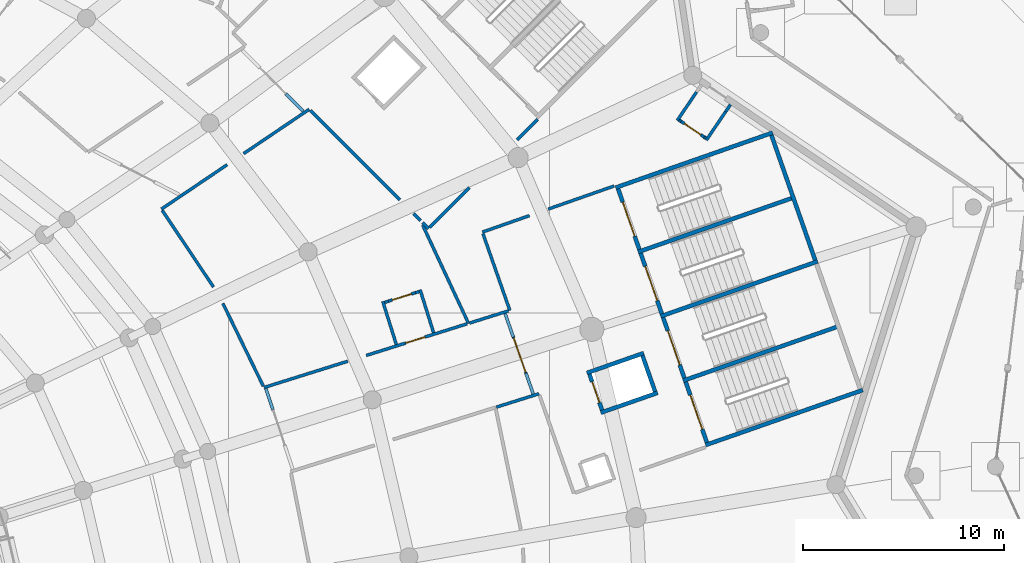
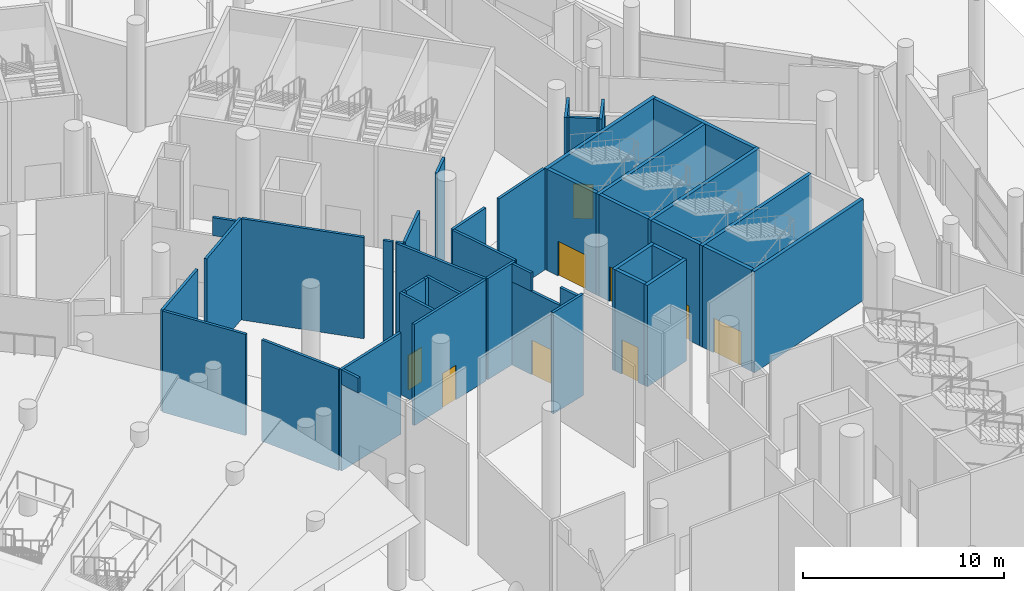
# One storey, part 148 of 255: 47 walls, 9 doors, 9 openings.
"""IFC4 building model written with IfcOpenShell, lengths in metres."""

from ifc_helpers import new_model, si_unit, direction, frame, frame_2d, origin, place, context, subcontext, project, spatial, rectangle, extrude, material, layer, layer_set, type_object, element, fill, save


model = new_model("IFC4")

# Units and contexts
model_context = context("Model", 3, precision=1e-05, world=origin(), true_north=direction((0.0, 1.0)))
body_context = subcontext(model_context, "Body", "Model", "MODEL_VIEW")
ifc_project = project(units=[si_unit("LENGTHUNIT", "METRE"), si_unit("AREAUNIT", "SQUARE_METRE"), si_unit("VOLUMEUNIT", "CUBIC_METRE"), si_unit("PLANEANGLEUNIT", "RADIAN"), si_unit("MASSUNIT", "GRAM", prefix="KILO")], contexts=[model_context])

# Site, building, storey
site_placement = place(None, origin())
site = spatial("IfcSite", under=ifc_project, at=site_placement, CompositionType="ELEMENT")
building_placement = place(site_placement, origin())
building = spatial("IfcBuilding", under=site, at=building_placement, Name="Meseta Stadium", CompositionType="ELEMENT")
storey_placement = place(building_placement, origin())
storey = spatial("IfcBuildingStorey", under=building, at=storey_placement, Name="L00", CompositionType="ELEMENT", Elevation=0.0)

# Walls
ifc_material_1 = material(Name="Concrete C40/50", Category="concrete")
ifc_layer_1 = layer(ifc_material_1, 0.199951171875)
ifc_layer_set_1 = layer_set([ifc_layer_1], Name="Core divider wall 200")
wall_type_1 = type_object("IfcWallType", Name="Core divider wall 200", PredefinedType="SHEAR", material=ifc_layer_set_1)
for number, where, z_axis, x_axis, name in (
    (1, (94.505859375, 63.370849609375, 0.0), (0.0, 0.0, 1.0), (-0.943878073457, -0.330294084791, 0.0), "Core 06 L00 stair A divider wall"),
    (2, (92.260009765625, 69.789306640625, 0.0), (0.0, 0.0, 1.0), (-0.943878073457, -0.330294084791, 0.0), "Core 06 L00 stair B divider wall"),
):
    element("IfcWall", number, at=place(storey_placement, frame(where, z_axis=z_axis, x_axis=x_axis)), inside=storey, type_object=wall_type_1, Name=name, PredefinedType="SHEAR", context=body_context, shape_type="SweptSolid", body=[
        extrude(rectangle(XDim=8.300048828125, YDim=0.199951171875, at=frame_2d((4.14990234375, 0.0))), origin(), (0.0, 0.0, 1.0), 6.14990234375),
    ])
ifc_material_2 = material(Name="Concrete C40/50", Category="concrete")
ifc_layer_2 = layer(ifc_material_2, 0.199951171875)
ifc_layer_set_2 = layer_set([ifc_layer_2], Name="Core shaft wall 200")
wall_type_2 = type_object("IfcWallType", Name="Core shaft wall 200", PredefinedType="SHEAR", material=ifc_layer_set_2)
for number, where, z_axis, x_axis, name in (
    (3, (95.62890625, 60.16162109375, 0.0), (0.0, 0.0, 1.0), (-0.943887243331, -0.330267878966, 0.0), "Core 06 L00 stair wall A-side"),
    (4, (93.3828125, 66.580078125, 0.0), (0.0, 0.0, 1.0), (-0.943878073457, -0.330294084791, 0.0), "Core 06 L00 stair wall shared"),
    (5, (91.136962890625, 72.998291015625, 0.0), (0.0, 0.0, 1.0), (-0.943887243331, -0.330267878966, 0.0), "Core 06 L00 stair wall B-side"),
):
    element("IfcWall", number, at=place(storey_placement, frame(where, z_axis=z_axis, x_axis=x_axis)), inside=storey, type_object=wall_type_2, Name=name, PredefinedType="SHEAR", context=body_context, shape_type="SweptSolid", body=[
        extrude(rectangle(XDim=8.300048828125, YDim=0.199951171875, at=frame_2d((4.14990234375, 0.0))), origin(), (0.0, 0.0, 1.0), 6.14990234375),
    ])
wall_1_placement = place(storey_placement, frame((93.255615234375, 66.641357421875, 0.0), z_axis=(0.0, 0.0, 1.0), x_axis=(-0.330286164688, 0.943880844925, 0.0)))
element("IfcWall", 6, at=wall_1_placement, inside=storey, type_object=wall_type_2, Name="Core 06 L00 stair B outer end wall", PredefinedType="SHEAR", context=body_context, shape_type="SweptSolid", body=[
    extrude(rectangle(XDim=6.60009765625, YDim=0.199951171875, at=frame_2d((3.300048828125, 0.0))), origin(), (0.0, 0.0, 1.0), 6.14990234375),
])

# Wall, opening, door
wall_2_placement = place(storey_placement, frame((87.85595703125, 57.547607421875, 0.0), z_axis=(0.0, 0.0, 1.0), x_axis=(-0.330268863922, 0.943886898693, 0.0)))
wall_2 = element("IfcWall", 7, at=wall_2_placement, inside=storey, type_object=wall_type_2, Name="Core 06 L00 stair A1 inner end wall", PredefinedType="SHEAR", context=body_context, shape_type="SweptSolid", body=[
    extrude(rectangle(XDim=3.2001953125, YDim=0.199951171875, at=frame_2d((1.60009765625, 0.0))), origin(), (0.0, 0.0, 1.0), 6.14990234375),
])
opening_1_placement = place(wall_2_placement, frame((0.699951171875, 0.0, 0.0)))
opening_1 = element("IfcOpeningElement", 8, at=opening_1_placement, cuts=wall_2, Name="Opening D095", PredefinedType="OPENING", context=body_context, shape_type="SweptSolid", body=[
    extrude(rectangle(XDim=1.800048828125, YDim=2.10009765625, at=frame_2d((0.89990234375, 1.050048828125))), frame((0.0, 0.10986328125, 0.0), z_axis=(0.0, -1.0, 0.0), x_axis=(1.0, 0.0, 0.0)), (0.0, 0.0, 1.0), 0.219970703125),
])
ifc_material_3 = material(Name="Steel", Category="steel")
door_type_1 = type_object("IfcDoorType", Name="Stair door 1800x2100", OperationType="DOUBLE_DOOR_SINGLE_SWING", PredefinedType="DOOR", material=ifc_material_3)
door_1_placement = place(opening_1_placement, origin())
door_1 = element("IfcDoor", 9, at=door_1_placement, inside=storey, type_object=door_type_1, Name="Stair A1 door 06 L00", OperationType="DOUBLE_DOOR_SINGLE_SWING", OverallHeight=2.10009765625, OverallWidth=1.800048828125, PredefinedType="DOOR", context=body_context, shape_type="SweptSolid", body=[
    extrude(rectangle(XDim=1.800048828125, YDim=2.10009765625, at=frame_2d((0.89990234375, 1.050048828125))), frame((0.0, 0.02490234375, 0.0), z_axis=(0.0, -1.0, 0.0), x_axis=(1.0, 0.0, 0.0)), (0.0, 0.0, 1.0), 0.050048828125),
])
fill(opening_1, door_1)

wall_3_placement = place(storey_placement, frame((86.73291015625, 60.7568359375, 0.0), z_axis=(0.0, 0.0, 1.0), x_axis=(-0.330268863922, 0.943886898693, 0.0)))
wall_3 = element("IfcWall", 10, at=wall_3_placement, inside=storey, type_object=wall_type_2, Name="Core 06 L00 stair A2 inner end wall", PredefinedType="SHEAR", context=body_context, shape_type="SweptSolid", body=[
    extrude(rectangle(XDim=3.2001953125, YDim=0.199951171875, at=frame_2d((1.60009765625, 0.0))), origin(), (0.0, 0.0, 1.0), 6.14990234375),
])
opening_2_placement = place(wall_3_placement, frame((0.699951171875, 0.0, 0.0)))
opening_2 = element("IfcOpeningElement", 11, at=opening_2_placement, cuts=wall_3, Name="Opening D096", PredefinedType="OPENING", context=body_context, shape_type="SweptSolid", body=[
    extrude(rectangle(XDim=1.800048828125, YDim=2.10009765625, at=frame_2d((0.89990234375, 1.050048828125))), frame((0.0, 0.10986328125, 0.0), z_axis=(0.0, -1.0, 0.0), x_axis=(1.0, 0.0, 0.0)), (0.0, 0.0, 1.0), 0.219970703125),
])
door_2_placement = place(opening_2_placement, origin())
door_2 = element("IfcDoor", 12, at=door_2_placement, inside=storey, type_object=door_type_1, Name="Stair A2 door 06 L00", OperationType="DOUBLE_DOOR_SINGLE_SWING", OverallHeight=2.10009765625, OverallWidth=1.800048828125, PredefinedType="DOOR", context=body_context, shape_type="SweptSolid", body=[
    extrude(rectangle(XDim=1.800048828125, YDim=2.10009765625, at=frame_2d((0.89990234375, 1.050048828125))), frame((0.0, 0.02490234375, 0.0), z_axis=(0.0, -1.0, 0.0), x_axis=(1.0, 0.0, 0.0)), (0.0, 0.0, 1.0), 0.050048828125),
])
fill(opening_2, door_2)

wall_4_placement = place(storey_placement, frame((85.610107421875, 63.966064453125, 0.0), z_axis=(0.0, 0.0, 1.0), x_axis=(-0.330268863922, 0.943886898693, 0.0)))
wall_4 = element("IfcWall", 13, at=wall_4_placement, inside=storey, type_object=wall_type_2, Name="Core 06 L00 stair B1 inner end wall", PredefinedType="SHEAR", context=body_context, shape_type="SweptSolid", body=[
    extrude(rectangle(XDim=3.2001953125, YDim=0.199951171875, at=frame_2d((1.60009765625, 0.0))), origin(), (0.0, 0.0, 1.0), 6.14990234375),
])
opening_3_placement = place(wall_4_placement, frame((0.699951171875, 0.0, 0.0)))
opening_3 = element("IfcOpeningElement", 14, at=opening_3_placement, cuts=wall_4, Name="Opening D097", PredefinedType="OPENING", context=body_context, shape_type="SweptSolid", body=[
    extrude(rectangle(XDim=1.800048828125, YDim=2.10009765625, at=frame_2d((0.89990234375, 1.050048828125))), frame((0.0, 0.10986328125, 0.0), z_axis=(0.0, -1.0, 0.0), x_axis=(1.0, 0.0, 0.0)), (0.0, 0.0, 1.0), 0.219970703125),
])
door_3_placement = place(opening_3_placement, origin())
door_3 = element("IfcDoor", 15, at=door_3_placement, inside=storey, type_object=door_type_1, Name="Stair B1 door 06 L00", OperationType="DOUBLE_DOOR_SINGLE_SWING", OverallHeight=2.10009765625, OverallWidth=1.800048828125, PredefinedType="DOOR", context=body_context, shape_type="SweptSolid", body=[
    extrude(rectangle(XDim=1.800048828125, YDim=2.10009765625, at=frame_2d((0.89990234375, 1.050048828125))), frame((0.0, 0.02490234375, 0.0), z_axis=(0.0, -1.0, 0.0), x_axis=(1.0, 0.0, 0.0)), (0.0, 0.0, 1.0), 0.050048828125),
])
fill(opening_3, door_3)

wall_5_placement = place(storey_placement, frame((84.487060546875, 67.17529296875, 0.0), z_axis=(0.0, 0.0, 1.0), x_axis=(-0.330268863922, 0.943886898693, 0.0)))
wall_5 = element("IfcWall", 16, at=wall_5_placement, inside=storey, type_object=wall_type_2, Name="Core 06 L00 stair B2 inner end wall", PredefinedType="SHEAR", context=body_context, shape_type="SweptSolid", body=[
    extrude(rectangle(XDim=3.2001953125, YDim=0.199951171875, at=frame_2d((1.60009765625, 0.0))), origin(), (0.0, 0.0, 1.0), 6.14990234375),
])
opening_4_placement = place(wall_5_placement, frame((0.699951171875, 0.0, 0.0)))
opening_4 = element("IfcOpeningElement", 17, at=opening_4_placement, cuts=wall_5, Name="Opening D098", PredefinedType="OPENING", context=body_context, shape_type="SweptSolid", body=[
    extrude(rectangle(XDim=1.800048828125, YDim=2.10009765625, at=frame_2d((0.89990234375, 1.050048828125))), frame((0.0, 0.10986328125, 0.0), z_axis=(0.0, -1.0, 0.0), x_axis=(1.0, 0.0, 0.0)), (0.0, 0.0, 1.0), 0.219970703125),
])
door_4_placement = place(opening_4_placement, origin())
door_4 = element("IfcDoor", 18, at=door_4_placement, inside=storey, type_object=door_type_1, Name="Stair B2 door 06 L00", OperationType="DOUBLE_DOOR_SINGLE_SWING", OverallHeight=2.10009765625, OverallWidth=1.800048828125, PredefinedType="DOOR", context=body_context, shape_type="SweptSolid", body=[
    extrude(rectangle(XDim=1.800048828125, YDim=2.10009765625, at=frame_2d((0.89990234375, 1.050048828125))), frame((0.0, 0.02490234375, 0.0), z_axis=(0.0, -1.0, 0.0), x_axis=(1.0, 0.0, 0.0)), (0.0, 0.0, 1.0), 0.050048828125),
])
fill(opening_4, door_4)

# Walls
wall_6_placement = place(storey_placement, frame((85.39990234375, 60.025390625, 0.0), z_axis=(0.0, 0.0, 1.0), x_axis=(-0.943900215722, -0.330230802259, 0.0)))
element("IfcWall", 19, at=wall_6_placement, inside=storey, type_object=wall_type_2, Name="Core 06 L00 lift shaft wall left", PredefinedType="SHEAR", context=body_context, shape_type="SweptSolid", body=[
    extrude(rectangle(XDim=3.0, YDim=0.199951171875, at=frame_2d((1.5, 0.0))), origin(), (0.0, 0.0, 1.0), 6.14990234375),
])
wall_7_placement = place(storey_placement, frame((84.706298828125, 62.0078125, 0.0), z_axis=(0.0, 0.0, 1.0), x_axis=(-0.943874847782, -0.330303302625, 0.0)))
element("IfcWall", 20, at=wall_7_placement, inside=storey, type_object=wall_type_2, Name="Core 06 L00 lift shaft wall right", PredefinedType="SHEAR", context=body_context, shape_type="SweptSolid", body=[
    extrude(rectangle(XDim=3.000244140625, YDim=0.199951171875, at=frame_2d((1.5, 0.0))), origin(), (0.0, 0.0, 1.0), 6.14990234375),
])
wall_8_placement = place(storey_placement, frame((85.272216796875, 60.0869140625, 0.0), z_axis=(0.0, 0.0, 1.0), x_axis=(-0.330224505327, 0.943902418729, 0.0)))
element("IfcWall", 21, at=wall_8_placement, inside=storey, type_object=wall_type_2, Name="Core 06 L00 lift shaft back wall", PredefinedType="SHEAR", context=body_context, shape_type="SweptSolid", body=[
    extrude(rectangle(XDim=1.900146484375, YDim=0.199951171875, at=frame_2d((0.9501953125, 0.0))), origin(), (0.0, 0.0, 1.0), 6.14990234375),
])

# Wall, opening, door
wall_9_placement = place(storey_placement, frame((82.62939453125, 59.162109375, 0.0), z_axis=(0.0, 0.0, 1.0), x_axis=(-0.330224505327, 0.943902418729, 0.0)))
wall_9 = element("IfcWall", 22, at=wall_9_placement, inside=storey, type_object=wall_type_2, Name="Core 06 L00 lift shaft front wall", PredefinedType="SHEAR", context=body_context, shape_type="SweptSolid", body=[
    extrude(rectangle(XDim=1.900146484375, YDim=0.199951171875, at=frame_2d((0.9501953125, 0.0))), origin(), (0.0, 0.0, 1.0), 6.14990234375),
])
opening_5_placement = place(wall_9_placement, frame((0.39990234375, 0.0, 0.0)))
opening_5 = element("IfcOpeningElement", 23, at=opening_5_placement, cuts=wall_9, Name="Opening LD32", PredefinedType="OPENING", context=body_context, shape_type="SweptSolid", body=[
    extrude(rectangle(XDim=1.10009765625, YDim=2.10009765625, at=frame_2d((0.550048828125, 1.050048828125))), frame((0.0, 0.10986328125, 0.0), z_axis=(0.0, -1.0, 0.0), x_axis=(1.0, 0.0, 0.0)), (0.0, 0.0, 1.0), 0.219970703125),
])
ifc_material_4 = material(Name="Steel", Category="steel")
door_type_2 = type_object("IfcDoorType", Name="Lift landing door 1100x2100", OperationType="SLIDING_TO_LEFT", PredefinedType="DOOR", material=ifc_material_4)
door_5_placement = place(opening_5_placement, origin())
door_5 = element("IfcDoor", 24, at=door_5_placement, inside=storey, type_object=door_type_2, Name="Lift landing door LD32", OperationType="SLIDING_TO_RIGHT", OverallHeight=2.10009765625, OverallWidth=1.10009765625, PredefinedType="DOOR", context=body_context, shape_type="SweptSolid", body=[
    extrude(rectangle(XDim=1.10009765625, YDim=2.10009765625, at=frame_2d((0.550048828125, 1.050048828125))), frame((0.0, 0.02490234375, 0.0), z_axis=(0.0, -1.0, 0.0), x_axis=(1.0, 0.0, 0.0)), (0.0, 0.0, 1.0), 0.050048828125),
])
fill(opening_5, door_5)

# Walls
ifc_material_5 = material(Name="Masonry blockwork", Category="masonry")
ifc_layer_3 = layer(ifc_material_5, 0.14990234375)
ifc_layer_set_3 = layer_set([ifc_layer_3], Name="Partition 150")
wall_type_3 = type_object("IfcWallType", Name="Partition 150", PredefinedType="PARTITIONING", material=ifc_layer_set_3)
wall_10_placement = place(storey_placement, frame((77.3623046875, 59.313232421875, 0.0), z_axis=(0.0, 0.0, 1.0), x_axis=(0.954198139725, 0.299175383588, 0.0)))
element("IfcWall", 25, at=wall_10_placement, inside=storey, type_object=wall_type_3, Name="Partition L00 L00-cell04-2-0", PredefinedType="PARTITIONING", context=body_context, shape_type="SweptSolid", body=[
    extrude(rectangle(XDim=2.222900390625, YDim=0.14990234375, at=frame_2d((1.111328125, 0.0))), origin(), (0.0, 0.0, 1.0), 6.14990234375),
])
wall_11_placement = place(storey_placement, frame((60.65478515625, 69.186279296875, 0.0), z_axis=(0.0, 0.0, 1.0), x_axis=(0.828805713465, 0.559536495081, 0.0)))
element("IfcWall", 26, at=wall_11_placement, inside=storey, type_object=wall_type_3, Name="Partition L00 L00-cell05-1-0", PredefinedType="PARTITIONING", context=body_context, shape_type="SweptSolid", body=[
    extrude(rectangle(XDim=3.953125, YDim=0.14990234375, at=frame_2d((1.9765625, 0.0))), origin(), (0.0, 0.0, 1.0), 6.14990234375),
])
wall_12_placement = place(storey_placement, frame((64.750244140625, 71.950927734375, 0.0), z_axis=(0.0, 0.0, 1.0), x_axis=(0.828815019126, 0.559522710952, 0.0)))
element("IfcWall", 27, at=wall_12_placement, inside=storey, type_object=wall_type_3, Name="Partition L00 L00-cell05-1-0", PredefinedType="PARTITIONING", context=body_context, shape_type="SweptSolid", body=[
    extrude(rectangle(XDim=3.952880859375, YDim=0.14990234375, at=frame_2d((1.9765625, 0.0))), origin(), (0.0, 0.0, 1.0), 6.14990234375),
])
wall_13_placement = place(storey_placement, frame((68.080322265625, 74.108642578125, 0.0), z_axis=(0.0, 0.0, 1.0), x_axis=(0.70712613939, -0.707087422453, 0.0)))
element("IfcWall", 28, at=wall_13_placement, inside=storey, type_object=wall_type_3, Name="Partition L00 L00-cell05-1-0", PredefinedType="PARTITIONING", context=body_context, shape_type="SweptSolid", body=[
    extrude(rectangle(XDim=6.3056640625, YDim=0.14990234375, at=frame_2d((3.15283203125, 0.0))), origin(), (0.0, 0.0, 1.0), 6.14990234375),
])
wall_14_placement = place(storey_placement, frame((73.2333984375, 68.95556640625, 0.0), z_axis=(0.0, 0.0, 1.0), x_axis=(0.707355281174, -0.706858193837, 0.0)))
element("IfcWall", 29, at=wall_14_placement, inside=storey, type_object=wall_type_3, Name="Partition L00 L00-cell05-1-0", PredefinedType="PARTITIONING", context=body_context, shape_type="SweptSolid", body=[
    extrude(rectangle(XDim=0.4912109375, YDim=0.14990234375, at=frame_2d((0.24560546875, 0.0))), origin(), (0.0, 0.0, 1.0), 6.14990234375),
])
wall_15_placement = place(storey_placement, frame((73.683837890625, 68.386962890625, 0.0), z_axis=(0.0, 0.0, 1.0), x_axis=(0.42266047211, -0.906288102821, 0.0)))
element("IfcWall", 30, at=wall_15_placement, inside=storey, type_object=wall_type_3, Name="Partition L00 L00-cell05-1-0", PredefinedType="PARTITIONING", context=body_context, shape_type="SweptSolid", body=[
    extrude(rectangle(XDim=5.406005859375, YDim=0.14990234375, at=frame_2d((2.703125, 0.0))), origin(), (0.0, 0.0, 1.0), 6.14990234375),
])

# Wall, opening, door
wall_16_placement = place(storey_placement, frame((75.896484375, 63.46484375, 0.0), z_axis=(0.0, 0.0, 1.0), x_axis=(-0.954206671626, -0.29914817035, 0.0)))
wall_16 = element("IfcWall", 31, at=wall_16_placement, inside=storey, type_object=wall_type_3, Name="Partition L00 L00-cell05-1-0", PredefinedType="PARTITIONING", context=body_context, shape_type="SweptSolid", body=[
    extrude(rectangle(XDim=5.268798828125, YDim=0.14990234375, at=frame_2d((2.63427734375, 0.0))), origin(), (0.0, 0.0, 1.0), 6.14990234375),
])
opening_6_placement = place(wall_16_placement, frame((2.199951171875, 0.0, 0.0)))
opening_6 = element("IfcOpeningElement", 32, at=opening_6_placement, cuts=wall_16, Name="Opening D551", PredefinedType="OPENING", context=body_context, shape_type="SweptSolid", body=[
    extrude(rectangle(XDim=1.0, YDim=2.10009765625, at=frame_2d((0.5, 1.050048828125))), frame((0.0, 0.0849609375, 0.0), z_axis=(0.0, -1.0, 0.0), x_axis=(1.0, 0.0, 0.0)), (0.0, 0.0, 1.0), 0.169921875),
])
ifc_material_6 = material(Name="Steel", Category="steel")
door_type_3 = type_object("IfcDoorType", Name="Fire door 1000x2100 EI2 60", OperationType="NOTDEFINED", PredefinedType="DOOR", material=ifc_material_6)
door_6_placement = place(opening_6_placement, origin())
door_6 = element("IfcDoor", 33, at=door_6_placement, inside=storey, type_object=door_type_3, Name="Door D551", OperationType="SINGLE_SWING_RIGHT", OverallHeight=2.10009765625, OverallWidth=1.0, PredefinedType="DOOR", context=body_context, shape_type="SweptSolid", body=[
    extrude(rectangle(XDim=1.0, YDim=2.10009765625, at=frame_2d((0.5, 1.050048828125))), frame((0.0, 0.02490234375, 0.0), z_axis=(0.0, -1.0, 0.0), x_axis=(1.0, 0.0, 0.0)), (0.0, 0.0, 1.0), 0.050048828125),
])
fill(opening_6, door_6)

# Walls
wall_17_placement = place(storey_placement, frame((69.941650390625, 61.597900390625, 0.0), z_axis=(0.0, 0.0, 1.0), x_axis=(-0.954192437986, -0.299193568262, 0.0)))
element("IfcWall", 34, at=wall_17_placement, inside=storey, type_object=wall_type_3, Name="Partition L00 L00-cell05-1-0", PredefinedType="PARTITIONING", context=body_context, shape_type="SweptSolid", body=[
    extrude(rectangle(XDim=4.372802734375, YDim=0.14990234375, at=frame_2d((2.1865234375, 0.0))), origin(), (0.0, 0.0, 1.0), 6.14990234375),
])
wall_18_placement = place(storey_placement, frame((65.735595703125, 60.357666015625, 0.0), z_axis=(0.0, 0.0, 1.0), x_axis=(-0.438916996059, 0.898527612581, 0.0)))
element("IfcWall", 35, at=wall_18_placement, inside=storey, type_object=wall_type_3, Name="Partition L00 L00-cell05-1-0", PredefinedType="PARTITIONING", context=body_context, shape_type="SweptSolid", body=[
    extrude(rectangle(XDim=4.60107421875, YDim=0.14990234375, at=frame_2d((2.300537109375, 0.0))), origin(), (0.0, 0.0, 1.0), 6.14990234375),
])
wall_19_placement = place(storey_placement, frame((63.251220703125, 65.30078125, 0.0), z_axis=(0.0, 0.0, 1.0), x_axis=(-0.555582071925, 0.831461701677, 0.0)))
element("IfcWall", 36, at=wall_19_placement, inside=storey, type_object=wall_type_3, Name="Partition L00 L00-cell05-1-0", PredefinedType="PARTITIONING", context=body_context, shape_type="SweptSolid", body=[
    extrude(rectangle(XDim=4.59814453125, YDim=0.14990234375, at=frame_2d((2.299072265625, 0.0))), origin(), (0.0, 0.0, 1.0), 6.14990234375),
])
wall_20_placement = place(storey_placement, frame((73.68408203125, 68.5048828125, 0.0), z_axis=(0.0, 0.0, 1.0), x_axis=(0.707106781187, -0.707106781187, 0.0)))
element("IfcWall", 37, at=wall_20_placement, inside=storey, type_object=wall_type_3, Name="Partition L00 L00-cell05-2-0", PredefinedType="PARTITIONING", context=body_context, shape_type="SweptSolid", body=[
    extrude(rectangle(XDim=0.4091796875, YDim=0.14990234375, at=frame_2d((0.20458984375, 0.0))), origin(), (0.0, 0.0, 1.0), 6.14990234375),
])
wall_21_placement = place(storey_placement, frame((74.026611328125, 68.2685546875, 0.0), z_axis=(0.0, 0.0, 1.0), x_axis=(0.707106781187, 0.707106781187, 0.0)))
element("IfcWall", 38, at=wall_21_placement, inside=storey, type_object=wall_type_3, Name="Partition L00 L00-cell05-2-0", PredefinedType="PARTITIONING", context=body_context, shape_type="SweptSolid", body=[
    extrude(rectangle(XDim=2.812255859375, YDim=0.14990234375, at=frame_2d((1.40625, 0.0))), origin(), (0.0, 0.0, 1.0), 6.14990234375),
])
wall_22_placement = place(storey_placement, frame((78.39697265625, 72.638916015625, 0.0), z_axis=(0.0, 0.0, 1.0), x_axis=(0.707106781187, 0.707106781187, 0.0)))
element("IfcWall", 39, at=wall_22_placement, inside=storey, type_object=wall_type_3, Name="Partition L00 L00-cell05-2-0", PredefinedType="PARTITIONING", context=body_context, shape_type="SweptSolid", body=[
    extrude(rectangle(XDim=1.44384765625, YDim=0.14990234375, at=frame_2d((0.721923828125, 0.0))), origin(), (0.0, 0.0, 1.0), 6.14990234375),
])
wall_23_placement = place(storey_placement, frame((83.23193359375, 70.33837890625, 0.0), z_axis=(0.0, 0.0, 1.0), x_axis=(-0.943878042103, -0.330294174389, 0.0)))
element("IfcWall", 40, at=wall_23_placement, inside=storey, type_object=wall_type_3, Name="Partition L00 L00-cell05-2-0", PredefinedType="PARTITIONING", context=body_context, shape_type="SweptSolid", body=[
    extrude(rectangle(XDim=3.47998046875, YDim=0.14990234375, at=frame_2d((1.739990234375, 0.0))), origin(), (0.0, 0.0, 1.0), 6.14990234375),
])
wall_24_placement = place(storey_placement, frame((79.0087890625, 68.860595703125, 0.0), z_axis=(0.0, 0.0, 1.0), x_axis=(-0.943873667714, -0.330306674768, 0.0)))
element("IfcWall", 41, at=wall_24_placement, inside=storey, type_object=wall_type_3, Name="Partition L00 L00-cell05-2-0", PredefinedType="PARTITIONING", context=body_context, shape_type="SweptSolid", body=[
    extrude(rectangle(XDim=2.485595703125, YDim=0.14990234375, at=frame_2d((1.24267578125, 0.0))), origin(), (0.0, 0.0, 1.0), 6.14990234375),
])
wall_25_placement = place(storey_placement, frame((76.6875, 67.96875, 0.0), z_axis=(0.0, 0.0, 1.0), x_axis=(0.330235334568, -0.943898630046, 0.0)))
element("IfcWall", 42, at=wall_25_placement, inside=storey, type_object=wall_type_3, Name="Partition L00 L00-cell05-2-0", PredefinedType="PARTITIONING", context=body_context, shape_type="SweptSolid", body=[
    extrude(rectangle(XDim=4.063232421875, YDim=0.14990234375, at=frame_2d((2.03173828125, 0.0))), origin(), (0.0, 0.0, 1.0), 6.14990234375),
])
wall_26_placement = place(storey_placement, frame((77.957763671875, 64.111083984375, 0.0), z_axis=(0.0, 0.0, 1.0), x_axis=(-0.954206277419, -0.299149427767, 0.0)))
element("IfcWall", 43, at=wall_26_placement, inside=storey, type_object=wall_type_3, Name="Partition L00 L00-cell05-2-0", PredefinedType="PARTITIONING", context=body_context, shape_type="SweptSolid", body=[
    extrude(rectangle(XDim=2.03466796875, YDim=0.14990234375, at=frame_2d((1.017333984375, 0.0))), origin(), (0.0, 0.0, 1.0), 6.14990234375),
])
for number, where, z_axis, x_axis, name in (
    (44, (74.228271484375, 63.0205078125, 0.0), (0.0, 0.0, 1.0), (-0.299250977053, 0.954174435171, 0.0), "Partition L00 L00-cell05-1-0 vestibule"),
    (45, (72.367431640625, 62.43701171875, 0.0), (0.0, 0.0, 1.0), (-0.299152185908, 0.954205412721, 0.0), "Partition L00 L00-cell05-1-0 vestibule"),
):
    element("IfcWall", number, at=place(storey_placement, frame(where, z_axis=z_axis, x_axis=x_axis)), inside=storey, type_object=wall_type_3, Name=name, PredefinedType="PARTITIONING", context=body_context, shape_type="SweptSolid", body=[
        extrude(rectangle(XDim=2.25, YDim=0.14990234375, at=frame_2d((1.125, 0.0))), origin(), (0.0, 0.0, 1.0), 6.14990234375),
    ])
wall_27_placement = place(storey_placement, frame((73.505859375, 65.073486328125, 0.0), z_axis=(0.0, 0.0, 1.0), x_axis=(-0.953803895117, -0.300429908065, 0.0)))
element("IfcWall", 46, at=wall_27_placement, inside=storey, type_object=wall_type_3, Name="Partition L00 L00-cell05-1-0 vestibule", PredefinedType="PARTITIONING", context=body_context, shape_type="SweptSolid", body=[
    extrude(rectangle(XDim=0.199951171875, YDim=0.14990234375, at=frame_2d((0.10009765625, 0.0))), origin(), (0.0, 0.0, 1.0), 6.14990234375),
])

# Wall, opening, door
wall_28_placement = place(storey_placement, frame((73.315185546875, 65.013427734375, 0.0), z_axis=(0.0, 0.0, 1.0), x_axis=(-0.954231413478, -0.299069238691, 0.0)))
wall_28 = element("IfcWall", 47, at=wall_28_placement, inside=storey, type_object=wall_type_3, Name="Partition L00 L00-cell05-1-0 vestibule", PredefinedType="PARTITIONING", context=body_context, shape_type="SweptSolid", body=[
    extrude(rectangle(XDim=1.39990234375, YDim=0.14990234375, at=frame_2d((0.699951171875, 0.0))), origin(), (0.0, 0.0, 1.0), 6.14990234375),
])
opening_7_placement = place(wall_28_placement, frame((0.199951171875, 0.0, 0.0)))
opening_7 = element("IfcOpeningElement", 48, at=opening_7_placement, cuts=wall_28, Name="Opening D830", PredefinedType="OPENING", context=body_context, shape_type="SweptSolid", body=[
    extrude(rectangle(XDim=1.0, YDim=2.10009765625, at=frame_2d((0.5, 1.050048828125))), frame((0.0, 0.0849609375, 0.0), z_axis=(0.0, -1.0, 0.0), x_axis=(1.0, 0.0, 0.0)), (0.0, 0.0, 1.0), 0.169921875),
])
door_7_placement = place(opening_7_placement, origin())
door_7 = element("IfcDoor", 49, at=door_7_placement, inside=storey, type_object=door_type_3, Name="Vestibule door L00 L00-cell05-1-0", OperationType="SINGLE_SWING_RIGHT", OverallHeight=2.10009765625, OverallWidth=1.0, PredefinedType="DOOR", context=body_context, shape_type="SweptSolid", body=[
    extrude(rectangle(XDim=1.0, YDim=2.10009765625, at=frame_2d((0.5, 1.050048828125))), frame((0.0, 0.02490234375, 0.0), z_axis=(0.0, -1.0, 0.0), x_axis=(1.0, 0.0, 0.0)), (0.0, 0.0, 1.0), 0.050048828125),
])
fill(opening_7, door_7)

# Walls
wall_29_placement = place(storey_placement, frame((71.979248046875, 64.5947265625, 0.0), z_axis=(0.0, 0.0, 1.0), x_axis=(-0.954262592634, -0.298969738101, 0.0)))
element("IfcWall", 50, at=wall_29_placement, inside=storey, type_object=wall_type_3, Name="Partition L00 L00-cell05-1-0 vestibule", PredefinedType="PARTITIONING", context=body_context, shape_type="SweptSolid", body=[
    extrude(rectangle(XDim=0.199951171875, YDim=0.14990234375, at=frame_2d((0.10009765625, 0.0))), origin(), (0.0, 0.0, 1.0), 6.14990234375),
])
wall_30_placement = place(storey_placement, frame((87.34228515625, 75.02587890625, 0.0), z_axis=(0.0, 0.0, 1.0), x_axis=(-0.561560429092, -0.827435728306, 0.0)))
element("IfcWall", 51, at=wall_30_placement, inside=storey, type_object=wall_type_3, Name="Partition L00 L00-cell05-2-0 vestibule", PredefinedType="PARTITIONING", context=body_context, shape_type="SweptSolid", body=[
    extrude(rectangle(XDim=1.719970703125, YDim=0.14990234375, at=frame_2d((0.85986328125, 0.0))), origin(), (0.0, 0.0, 1.0), 6.14990234375),
])
wall_31_placement = place(storey_placement, frame((89.03173828125, 74.399169921875, 0.0), z_axis=(0.0, 0.0, 1.0), x_axis=(-0.561626393588, -0.827390955973, 0.0)))
element("IfcWall", 52, at=wall_31_placement, inside=storey, type_object=wall_type_3, Name="Partition L00 L00-cell05-2-0 vestibule", PredefinedType="PARTITIONING", context=body_context, shape_type="SweptSolid", body=[
    extrude(rectangle(XDim=0.429931640625, YDim=0.14990234375, at=frame_2d((0.21484375, 0.0))), origin(), (0.0, 0.0, 1.0), 4.85009765625),
])
wall_32_placement = place(storey_placement, frame((88.790283203125, 74.04345703125, 0.0), z_axis=(0.0, 0.0, 1.0), x_axis=(-0.561494476523, -0.827480484866, 0.0)))
element("IfcWall", 53, at=wall_32_placement, inside=storey, type_object=wall_type_3, Name="Partition L00 L00-cell05-2-0 vestibule", PredefinedType="PARTITIONING", context=body_context, shape_type="SweptSolid", body=[
    extrude(rectangle(XDim=1.719970703125, YDim=0.14990234375, at=frame_2d((0.85986328125, 0.0))), origin(), (0.0, 0.0, 1.0), 6.14990234375),
])
wall_33_placement = place(storey_placement, frame((86.480712890625, 73.62255859375, 0.0), z_axis=(0.0, 0.0, 1.0), x_axis=(0.826744481423, -0.562577605702, 0.0)))
element("IfcWall", 54, at=wall_33_placement, inside=storey, type_object=wall_type_3, Name="Partition L00 L00-cell05-2-0 vestibule", PredefinedType="PARTITIONING", context=body_context, shape_type="SweptSolid", body=[
    extrude(rectangle(XDim=0.099853515625, YDim=0.14990234375, at=frame_2d((0.0498046875, 0.0))), origin(), (0.0, 0.0, 1.0), 6.14990234375),
])

# Wall, opening, door
wall_34_placement = place(storey_placement, frame((86.563232421875, 73.56640625, 0.0), z_axis=(0.0, 0.0, 1.0), x_axis=(0.827542331128, -0.561403322213, 0.0)))
wall_34 = element("IfcWall", 55, at=wall_34_placement, inside=storey, type_object=wall_type_3, Name="Partition L00 L00-cell05-2-0 vestibule", PredefinedType="PARTITIONING", context=body_context, shape_type="SweptSolid", body=[
    extrude(rectangle(XDim=1.39990234375, YDim=0.14990234375, at=frame_2d((0.699951171875, 0.0))), origin(), (0.0, 0.0, 1.0), 6.14990234375),
])
opening_8_placement = place(wall_34_placement, frame((0.199951171875, 0.0, 0.0)))
opening_8 = element("IfcOpeningElement", 56, at=opening_8_placement, cuts=wall_34, Name="Opening D831", PredefinedType="OPENING", context=body_context, shape_type="SweptSolid", body=[
    extrude(rectangle(XDim=1.0, YDim=2.10009765625, at=frame_2d((0.5, 1.050048828125))), frame((0.0, 0.0849609375, 0.0), z_axis=(0.0, -1.0, 0.0), x_axis=(1.0, 0.0, 0.0)), (0.0, 0.0, 1.0), 0.169921875),
])
door_8_placement = place(opening_8_placement, origin())
door_8 = element("IfcDoor", 57, at=door_8_placement, inside=storey, type_object=door_type_3, Name="Vestibule door L00 L00-cell05-2-0", OperationType="SINGLE_SWING_LEFT", OverallHeight=2.10009765625, OverallWidth=1.0, PredefinedType="DOOR", context=body_context, shape_type="SweptSolid", body=[
    extrude(rectangle(XDim=1.0, YDim=2.10009765625, at=frame_2d((0.5, 1.050048828125))), frame((0.0, 0.02490234375, 0.0), z_axis=(0.0, -1.0, 0.0), x_axis=(1.0, 0.0, 0.0)), (0.0, 0.0, 1.0), 0.050048828125),
])
fill(opening_8, door_8)

# Wall
wall_35_placement = place(storey_placement, frame((87.7216796875, 72.780517578125, 0.0), z_axis=(0.0, 0.0, 1.0), x_axis=(0.828283413128, -0.560309367704, 0.0)))
element("IfcWall", 58, at=wall_35_placement, inside=storey, type_object=wall_type_3, Name="Partition L00 L00-cell05-2-0 vestibule", PredefinedType="PARTITIONING", context=body_context, shape_type="SweptSolid", body=[
    extrude(rectangle(XDim=0.10009765625, YDim=0.14990234375, at=frame_2d((0.050048828125, 0.0))), origin(), (0.0, 0.0, 1.0), 6.14990234375),
])

# Wall, opening, door
wall_36_placement = place(storey_placement, frame((79.19482421875, 59.97021484375, 0.0), z_axis=(0.0, 0.0, 1.0), x_axis=(-0.330288941726, 0.943879873169, 0.0)))
wall_36 = element("IfcWall", 59, at=wall_36_placement, inside=storey, type_object=wall_type_3, Name="Escape corridor sector wall L00 core 06", PredefinedType="PARTITIONING", context=body_context, shape_type="SweptSolid", body=[
    extrude(rectangle(XDim=4.2451171875, YDim=0.14990234375, at=frame_2d((2.12255859375, 0.0))), origin(), (0.0, 0.0, 1.0), 5.050048828125),
])
opening_9_placement = place(wall_36_placement, frame((1.14990234375, 0.0, 0.0)))
opening_9 = element("IfcOpeningElement", 60, at=opening_9_placement, cuts=wall_36, Name="Opening D410", PredefinedType="OPENING", context=body_context, shape_type="SweptSolid", body=[
    extrude(rectangle(XDim=1.800048828125, YDim=2.10009765625, at=frame_2d((0.89990234375, 1.050048828125))), frame((0.0, 0.0849609375, 0.0), z_axis=(0.0, -1.0, 0.0), x_axis=(1.0, 0.0, 0.0)), (0.0, 0.0, 1.0), 0.169921875),
])
ifc_material_7 = material(Name="Steel", Category="steel")
door_type_4 = type_object("IfcDoorType", Name="Fire double door 1800x2100 EI2 60", OperationType="DOUBLE_DOOR_SINGLE_SWING", PredefinedType="DOOR", material=ifc_material_7)
door_9_placement = place(opening_9_placement, origin())
door_9 = element("IfcDoor", 61, at=door_9_placement, inside=storey, type_object=door_type_4, Name="Escape corridor door EC06-1", OperationType="DOUBLE_DOOR_SINGLE_SWING", OverallHeight=2.10009765625, OverallWidth=1.800048828125, PredefinedType="DOOR", context=body_context, shape_type="SweptSolid", body=[
    extrude(rectangle(XDim=1.800048828125, YDim=2.10009765625, at=frame_2d((0.89990234375, 1.050048828125))), frame((0.0, 0.02490234375, 0.0), z_axis=(0.0, -1.0, 0.0), x_axis=(1.0, 0.0, 0.0)), (0.0, 0.0, 1.0), 0.050048828125),
])
fill(opening_9, door_9)

# Walls
wall_37_placement = place(storey_placement, frame((79.19482421875, 59.97021484375, 5.050048828125), z_axis=(0.0, 0.0, 1.0), x_axis=(-0.330310872881, 0.943872198582, 0.0)))
element("IfcWall", 62, at=wall_37_placement, inside=storey, type_object=wall_type_3, Name="Escape corridor sector wall L00 core 06", PredefinedType="PARTITIONING", context=body_context, shape_type="SweptSolid", body=[
    extrude(rectangle(XDim=1.099853515625, YDim=0.14990234375, at=frame_2d((0.5498046875, 0.0))), origin(), (0.0, 0.0, 1.0), 1.099853515625),
])
wall_38_placement = place(storey_placement, frame((78.2041015625, 62.8017578125, 5.050048828125), z_axis=(0.0, 0.0, 1.0), x_axis=(-0.3303678914, 0.943852242849, 0.0)))
element("IfcWall", 63, at=wall_38_placement, inside=storey, type_object=wall_type_3, Name="Escape corridor sector wall L00 core 06", PredefinedType="PARTITIONING", context=body_context, shape_type="SweptSolid", body=[
    extrude(rectangle(XDim=1.2451171875, YDim=0.14990234375, at=frame_2d((0.62255859375, 0.0))), origin(), (0.0, 0.0, 1.0), 1.099853515625),
])
wall_39_placement = place(storey_placement, frame((66.213623046875, 59.1953125, 5.25), z_axis=(0.0, 0.0, 1.0), x_axis=(-0.316028022196, 0.948749855961, 0.0)))
element("IfcWall", 64, at=wall_39_placement, inside=storey, type_object=wall_type_3, Name="Escape corridor discharge wall L00 core 06", PredefinedType="PARTITIONING", context=body_context, shape_type="SweptSolid", body=[
    extrude(rectangle(XDim=1.10009765625, YDim=0.14990234375, at=frame_2d((0.550048828125, 0.0))), origin(), (0.0, 0.0, 1.0), 0.89990234375),
])
wall_40_placement = place(storey_placement, frame((67.729248046875, 74.07080078125, 5.050048828125), z_axis=(0.0, 0.0, 1.0), x_axis=(-0.707106781187, 0.707106781187, 0.0)))
element("IfcWall", 65, at=wall_40_placement, inside=storey, type_object=wall_type_3, Name="Escape corridor sector wall L00 core 07", PredefinedType="PARTITIONING", context=body_context, shape_type="SweptSolid", body=[
    extrude(rectangle(XDim=1.2001953125, YDim=0.14990234375, at=frame_2d((0.60009765625, 0.0))), origin(), (0.0, 0.0, 1.0), 1.099853515625),
])

save(model, "model.ifc")
